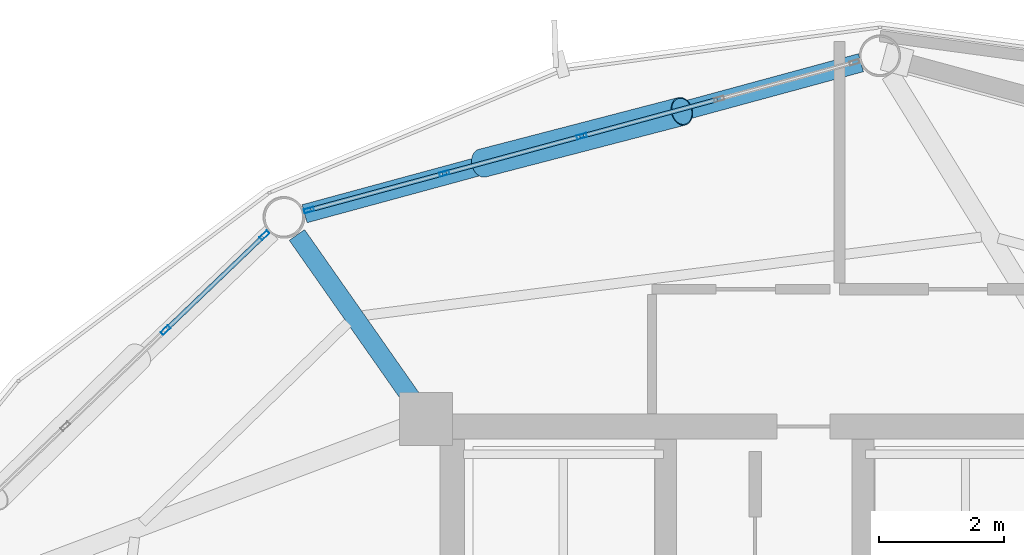
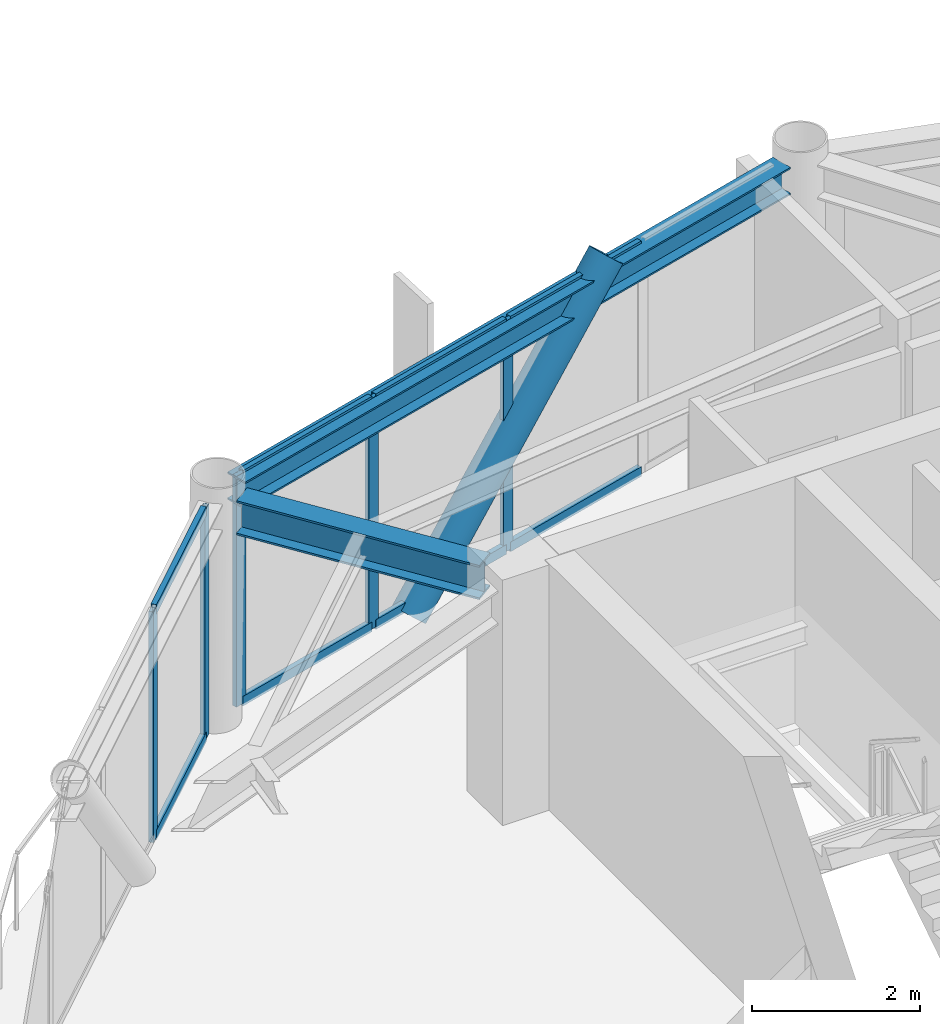
# One storey, part 18 of 28: 14 members, 2 beams, 2 elements without a shape of their own.
"""IFC4 building model written with IfcOpenShell, lengths in metres."""

from ifc_helpers import new_model, si_unit, direction, frame, origin, origin_2d, place, context, subcontext, project, spatial, hollow_rectangle, hollow_circle, i_section, extrude, material, layer, layer_set, material_profile, profile_set, type_object, element, aggregate, save


model = new_model("IFC4")

# Units and contexts
model_context = context("Model", 3, precision=1e-05, world=origin(), true_north=direction((0.0, 1.0)))
body_context = subcontext(model_context, "Body", "Model", "MODEL_VIEW")
ifc_project = project(units=[si_unit("LENGTHUNIT", "METRE"), si_unit("AREAUNIT", "SQUARE_METRE"), si_unit("VOLUMEUNIT", "CUBIC_METRE"), si_unit("PLANEANGLEUNIT", "RADIAN"), si_unit("MASSUNIT", "GRAM", prefix="KILO")], contexts=[model_context])

# Site, building, storey
site_placement = place(None, origin())
site = spatial("IfcSite", under=ifc_project, at=site_placement, CompositionType="ELEMENT")
building_placement = place(site_placement, origin())
building = spatial("IfcBuilding", under=site, at=building_placement, Name="Varnakorn Sky Granary", CompositionType="ELEMENT")
storey_placement = place(building_placement, frame((0.0, 0.0, 207.60009765625)))
storey = spatial("IfcBuildingStorey", under=building, at=storey_placement, Name="L52", CompositionType="ELEMENT", Elevation=207.60009765625)

# Beams
ifc_material_1 = material(Name="Steel S355JR", Category="steel")
ifc_material_profile_1 = material_profile(ifc_material_1, i_section(OverallWidth=0.300048828125, OverallDepth=0.5, WebThickness=0.014404296875, FlangeThickness=0.028076171875, at=origin_2d()), Name="HE 500 B")
ifc_profile_set_1 = profile_set([ifc_material_profile_1], Name="Steel S355JR")
beam_type_1 = type_object("IfcBeamType", Name="BM-RAD-Z4", PredefinedType="BEAM", material=ifc_profile_set_1)
beam_1_placement = place(storey_placement, frame((-2.652587890625, 12.95166015625, 3.10986328125), z_axis=(-0.574123229221, 0.818768903702, 0.0), x_axis=(-0.818768903702, -0.574123229221, 0.0)))
element("IfcBeam", 1, at=beam_1_placement, inside=storey, type_object=beam_type_1, Name="Radial Floor Girder RG05 L52", PredefinedType="BEAM", context=body_context, shape_type="SweptSolid", body=[
    extrude(i_section(OverallWidth=0.300048828125, OverallDepth=0.5, WebThickness=0.014404296875, FlangeThickness=0.028076171875, at=origin_2d()), origin(), (0.0, 0.0, 1.0), 3.197265625),
])
ifc_material_profile_2 = material_profile(ifc_material_1, i_section(OverallWidth=0.300048828125, OverallDepth=0.39990234375, WebThickness=0.013427734375, FlangeThickness=0.02392578125, at=origin_2d()), Name="HE 400 B")
ifc_profile_set_2 = profile_set([ifc_material_profile_2], Name="Steel S355JR")
beam_type_2 = type_object("IfcBeamType", Name="BM-SPD-Z4", PredefinedType="SPANDREL", material=ifc_profile_set_2)
beam_2_placement = place(storey_placement, frame((4.5458984375, 18.32861328125, 3.159912109375), z_axis=(-0.965080415156, -0.261953797993, 0.0), x_axis=(0.261953797993, -0.965080415156, 0.0)))
element("IfcBeam", 2, at=beam_2_placement, inside=storey, type_object=beam_type_2, Name="Perimeter Spandrel Ring Beam RB04 L52", PredefinedType="SPANDREL", context=body_context, shape_type="SweptSolid", body=[
    extrude(i_section(OverallWidth=0.300048828125, OverallDepth=0.39990234375, WebThickness=0.013427734375, FlangeThickness=0.02392578125, at=origin_2d()), origin(), (0.0, 0.0, 1.0), 9.2333984375),
])

# Curtain wall, members
ifc_material_2 = material(Name="Anodised Bronze Aluminium Alloy 6063-T6", Category="aluminium")
ifc_layer = layer(ifc_material_2, 0.169921875, Name="Anodised Bronze Aluminium Alloy 6063-T6")
ifc_layer_set = layer_set([ifc_layer], Name="Anodised Bronze Aluminium Alloy 6063-T6")
curtain_wall_type = type_object("IfcCurtainWallType", Name="CW-LAB-1", PredefinedType="USERDEFINED", material=ifc_layer_set)
curtain_wall_1_placement = place(storey_placement, origin())
curtain_wall_1 = element("IfcCurtainWall", 3, at=curtain_wall_1_placement, inside=storey, type_object=curtain_wall_type, Name="Unitised Curtain Wall CW5 CW-L52-B04", ObjectType="CURTAIN WALL", PredefinedType="USERDEFINED")
ifc_material_profile_3 = material_profile(ifc_material_2, hollow_rectangle(XDim=0.06494140625, YDim=0.159912109375, WallThickness=0.00341796875, at=origin_2d()), Name="ALU MULL 65x160")
ifc_profile_set_3 = profile_set([ifc_material_profile_3], Name="Anodised Bronze Aluminium Alloy 6063-T6")
member_type_1 = type_object("IfcMemberType", Name="CW-LAB-1-MULL", PredefinedType="MULLION", material=ifc_profile_set_3)
member_1_placement = place(storey_placement, frame((-4.294677734375, 15.96728515625, 0.0), z_axis=(0.0, 0.0, 1.0), x_axis=(-0.261502123426, 0.965202900661, 0.0)))
member_1 = element("IfcMember", 4, at=member_1_placement, type_object=member_type_1, Name="CW5 mullion 1", PredefinedType="MULLION", context=body_context, shape_type="SweptSolid", body=[
    extrude(hollow_rectangle(XDim=0.06494140625, YDim=0.159912109375, WallThickness=0.00341796875, at=origin_2d()), origin(), (0.0, 0.0, 1.0), 3.35986328125),
])
member_2_placement = place(storey_placement, frame((-2.126220703125, 16.554931640625, 0.0), z_axis=(0.0, 0.0, 1.0), x_axis=(-0.261502123426, 0.965202900661, 0.0)))
member_2 = element("IfcMember", 5, at=member_2_placement, type_object=member_type_1, Name="CW5 mullion 2", PredefinedType="MULLION", context=body_context, shape_type="SweptSolid", body=[
    extrude(hollow_rectangle(XDim=0.06494140625, YDim=0.159912109375, WallThickness=0.00341796875, at=origin_2d()), origin(), (0.0, 0.0, 1.0), 3.35986328125),
])
member_3_placement = place(storey_placement, frame((0.07373046875, 17.15087890625, 0.0), z_axis=(0.0, 0.0, 1.0), x_axis=(-0.261502123426, 0.965202900661, 0.0)))
member_3 = element("IfcMember", 6, at=member_3_placement, type_object=member_type_1, Name="CW5 mullion 3", PredefinedType="MULLION", context=body_context, shape_type="SweptSolid", body=[
    extrude(hollow_rectangle(XDim=0.06494140625, YDim=0.159912109375, WallThickness=0.00341796875, at=origin_2d()), origin(), (0.0, 0.0, 1.0), 3.35986328125),
])

curtain_wall_2_placement = place(storey_placement, origin())
curtain_wall_2 = element("IfcCurtainWall", 7, at=curtain_wall_2_placement, inside=storey, type_object=curtain_wall_type, Name="Unitised Curtain Wall CW5 CW-L52-B05", ObjectType="CURTAIN WALL", PredefinedType="USERDEFINED")
member_4_placement = place(storey_placement, frame((-6.591552734375, 14.04638671875, 0.0), z_axis=(0.0, 0.0, 1.0), x_axis=(-0.691923166337, 0.721971143389, 0.0)))
member_4 = element("IfcMember", 8, at=member_4_placement, type_object=member_type_1, Name="CW5 mullion 4", PredefinedType="MULLION", context=body_context, shape_type="SweptSolid", body=[
    extrude(hollow_rectangle(XDim=0.06494140625, YDim=0.159912109375, WallThickness=0.00341796875, at=origin_2d()), origin(), (0.0, 0.0, 1.0), 3.35986328125),
])
member_5_placement = place(storey_placement, frame((-5.007568359375, 15.564453125, 0.0), z_axis=(0.0, 0.0, 1.0), x_axis=(-0.691923166337, 0.721971143389, 0.0)))
member_5 = element("IfcMember", 9, at=member_5_placement, type_object=member_type_1, Name="CW5 mullion 5", PredefinedType="MULLION", context=body_context, shape_type="SweptSolid", body=[
    extrude(hollow_rectangle(XDim=0.06494140625, YDim=0.159912109375, WallThickness=0.00341796875, at=origin_2d()), origin(), (0.0, 0.0, 1.0), 3.35986328125),
])

# Member
ifc_material_profile_4 = material_profile(ifc_material_2, hollow_rectangle(XDim=0.070068359375, YDim=0.139892578125, WallThickness=0.00341796875, at=origin_2d()), Name="ALU TRAN 70x140")
ifc_profile_set_4 = profile_set([ifc_material_profile_4], Name="Anodised Bronze Aluminium Alloy 6063-T6")
member_type_2 = type_object("IfcMemberType", Name="CW-LAB-1-TRAN", PredefinedType="USERDEFINED", material=ifc_profile_set_4)
member_6_placement = place(storey_placement, frame((-4.263427734375, 15.975830078125, 0.034912109375), z_axis=(0.965204016592, 0.261498004495, 0.0), x_axis=(-0.261498004495, 0.965204016592, 0.0)))
member_6 = element("IfcMember", 10, at=member_6_placement, type_object=member_type_2, Name="CW5 transom 1.1", ObjectType="TRANSOM", PredefinedType="USERDEFINED", context=body_context, shape_type="SweptSolid", body=[
    extrude(hollow_rectangle(XDim=0.070068359375, YDim=0.139892578125, WallThickness=0.00341796875, at=origin_2d()), origin(), (0.0, 0.0, 1.0), 2.181884765625),
])

member_7_placement = place(storey_placement, frame((-4.263427734375, 15.975830078125, 3.324951171875), z_axis=(0.965204016592, 0.261498004495, 0.0), x_axis=(-0.261498004495, 0.965204016592, 0.0)))
member_7 = element("IfcMember", 11, at=member_7_placement, type_object=member_type_2, Name="CW5 transom 1.2", ObjectType="TRANSOM", PredefinedType="USERDEFINED", context=body_context, shape_type="SweptSolid", body=[
    extrude(hollow_rectangle(XDim=0.070068359375, YDim=0.139892578125, WallThickness=0.00341796875, at=origin_2d()), origin(), (0.0, 0.0, 1.0), 2.181884765625),
])

member_8_placement = place(storey_placement, frame((-2.0947265625, 16.5634765625, 0.034912109375), z_axis=(0.965222894139, 0.261428316427, 0.0), x_axis=(-0.261428316427, 0.965222894139, 0.0)))
member_8 = element("IfcMember", 12, at=member_8_placement, type_object=member_type_2, Name="CW5 transom 2.1", ObjectType="TRANSOM", PredefinedType="USERDEFINED", context=body_context, shape_type="SweptSolid", body=[
    extrude(hollow_rectangle(XDim=0.070068359375, YDim=0.139892578125, WallThickness=0.00341796875, at=origin_2d()), origin(), (0.0, 0.0, 1.0), 2.214111328125),
])

member_9_placement = place(storey_placement, frame((-2.0947265625, 16.5634765625, 3.324951171875), z_axis=(0.965222894139, 0.261428316427, 0.0), x_axis=(-0.261428316427, 0.965222894139, 0.0)))
member_9 = element("IfcMember", 13, at=member_9_placement, type_object=member_type_2, Name="CW5 transom 2.2", ObjectType="TRANSOM", PredefinedType="USERDEFINED", context=body_context, shape_type="SweptSolid", body=[
    extrude(hollow_rectangle(XDim=0.070068359375, YDim=0.139892578125, WallThickness=0.00341796875, at=origin_2d()), origin(), (0.0, 0.0, 1.0), 2.214111328125),
])

member_10_placement = place(storey_placement, frame((0.105224609375, 17.159423828125, 0.034912109375), z_axis=(0.965187523988, 0.261558872032, 0.0), x_axis=(-0.261558872032, 0.965187523988, 0.0)))
member_10 = element("IfcMember", 14, at=member_10_placement, type_object=member_type_2, Name="CW5 transom 3.1", ObjectType="TRANSOM", PredefinedType="USERDEFINED", context=body_context, shape_type="SweptSolid", body=[
    extrude(hollow_rectangle(XDim=0.070068359375, YDim=0.139892578125, WallThickness=0.00341796875, at=origin_2d()), origin(), (0.0, 0.0, 1.0), 2.214111328125),
])

member_11_placement = place(storey_placement, frame((0.105224609375, 17.159423828125, 3.324951171875), z_axis=(0.965187523988, 0.261558872032, 0.0), x_axis=(-0.261558872032, 0.965187523988, 0.0)))
member_11 = element("IfcMember", 15, at=member_11_placement, type_object=member_type_2, Name="CW5 transom 3.2", ObjectType="TRANSOM", PredefinedType="USERDEFINED", context=body_context, shape_type="SweptSolid", body=[
    extrude(hollow_rectangle(XDim=0.070068359375, YDim=0.139892578125, WallThickness=0.00341796875, at=origin_2d()), origin(), (0.0, 0.0, 1.0), 2.214111328125),
])

aggregate(curtain_wall_1, [member_1, member_2, member_3, member_6, member_7, member_8, member_9, member_10, member_11])

member_12_placement = place(storey_placement, frame((-6.568115234375, 14.06884765625, 0.034912109375), z_axis=(0.72196911029, 0.691925287721, 0.0), x_axis=(-0.691925287721, 0.72196911029, 0.0)))
member_12 = element("IfcMember", 16, at=member_12_placement, type_object=member_type_2, Name="CW5 transom 4.1", ObjectType="TRANSOM", PredefinedType="USERDEFINED", context=body_context, shape_type="SweptSolid", body=[
    extrude(hollow_rectangle(XDim=0.070068359375, YDim=0.139892578125, WallThickness=0.00341796875, at=origin_2d()), origin(), (0.0, 0.0, 1.0), 2.129150390625),
])

member_13_placement = place(storey_placement, frame((-6.568115234375, 14.06884765625, 3.324951171875), z_axis=(0.72196911029, 0.691925287721, 0.0), x_axis=(-0.691925287721, 0.72196911029, 0.0)))
member_13 = element("IfcMember", 17, at=member_13_placement, type_object=member_type_2, Name="CW5 transom 4.2", ObjectType="TRANSOM", PredefinedType="USERDEFINED", context=body_context, shape_type="SweptSolid", body=[
    extrude(hollow_rectangle(XDim=0.070068359375, YDim=0.139892578125, WallThickness=0.00341796875, at=origin_2d()), origin(), (0.0, 0.0, 1.0), 2.129150390625),
])

aggregate(curtain_wall_2, [member_4, member_5, member_12, member_13])

ifc_material_3 = material(Name="Steel S460M", Category="steel")
ifc_material_profile_5 = material_profile(ifc_material_3, hollow_circle(Radius=0.228515625, WallThickness=0.01611328125, at=origin_2d()), Name="CHS 457x16")
ifc_profile_set_5 = profile_set([ifc_material_profile_5], Name="Steel S460M")
member_type_3 = type_object("IfcMemberType", Name="MB-DIAG-T3", PredefinedType="BRACE", material=ifc_profile_set_5)
member_14_placement = place(storey_placement, frame((-1.518310546875, 16.719482421875, -0.130126953125), z_axis=(0.652176502421, 0.169472210019, 0.738880896844), x_axis=(-0.251503626725, 0.967856355946, 0.0)))
element("IfcMember", 18, at=member_14_placement, inside=storey, type_object=member_type_3, Name="Perimeter CHS Diagrid Brace DG04 L52", PredefinedType="BRACE", context=body_context, shape_type="SweptSolid", body=[
    extrude(hollow_circle(Radius=0.228515625, WallThickness=0.01611328125, at=origin_2d()), origin(), (0.0, 0.0, 1.0), 4.8994140625),
])

save(model, "model.ifc")
